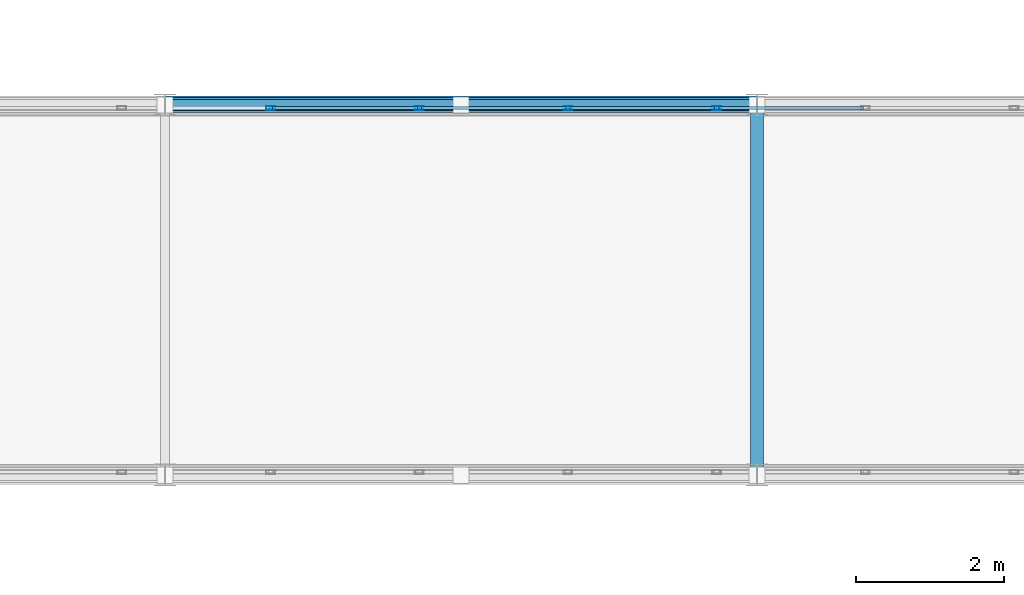
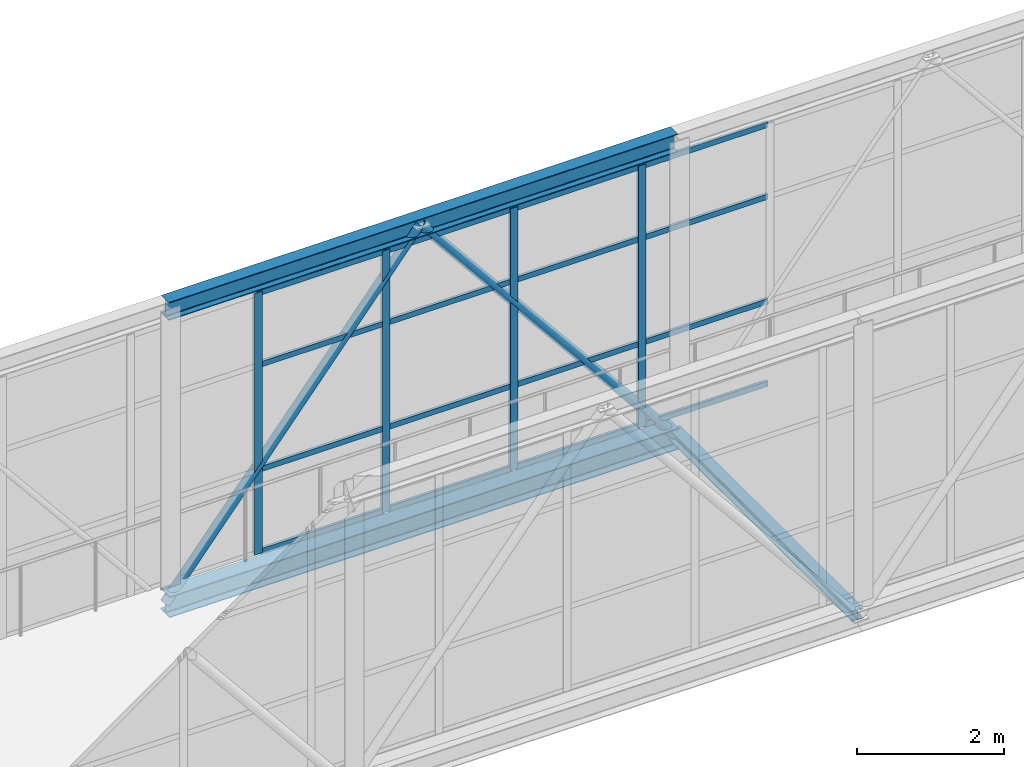
# One storey, part 93 of 248: 25 members, 1 element without a shape of its own.
"""IFC4 building model written with IfcOpenShell, lengths in metres."""

from ifc_helpers import new_model, si_unit, direction, frame, origin, origin_2d, place, context, subcontext, project, spatial, hollow_rectangle, hollow_circle, i_section, extrude, material, layer, layer_set, material_profile, profile_set, type_object, element, aggregate, save


model = new_model("IFC4")

# Units and contexts
model_context = context("Model", 3, precision=1e-05, world=origin(), true_north=direction((0.0, 1.0)))
body_context = subcontext(model_context, "Body", "Model", "MODEL_VIEW")
ifc_project = project(units=[si_unit("LENGTHUNIT", "METRE"), si_unit("AREAUNIT", "SQUARE_METRE"), si_unit("VOLUMEUNIT", "CUBIC_METRE"), si_unit("PLANEANGLEUNIT", "RADIAN"), si_unit("MASSUNIT", "GRAM", prefix="KILO")], contexts=[model_context])

# Site, building, storey
site_placement = place(None, origin())
site = spatial("IfcSite", under=ifc_project, at=site_placement, CompositionType="ELEMENT")
building_placement = place(site_placement, origin())
building = spatial("IfcBuilding", under=site, at=building_placement, Name="Canggui Botanical Conservatory", CompositionType="ELEMENT")
storey_placement = place(building_placement, frame((0.0, 0.0, 5.39990234375)))
storey = spatial("IfcBuildingStorey", under=building, at=storey_placement, Name="L02", CompositionType="ELEMENT", Elevation=5.39990234375)

# Curtain wall, members
ifc_material_1 = material(Name="Thermally Broken Aluminium", Category="aluminium")
ifc_layer = layer(ifc_material_1, 0.1201171875, Name="Thermally Broken Aluminium", Category="aluminium")
ifc_layer_set = layer_set([ifc_layer], Name="Thermally Broken Aluminium")
curtain_wall_type = type_object("IfcCurtainWallType", Name="CW-STICK-B", PredefinedType="USERDEFINED", material=ifc_layer_set)
curtain_wall_placement = place(storey_placement, origin())
curtain_wall = element("IfcCurtainWall", 1, at=curtain_wall_placement, inside=storey, type_object=curtain_wall_type, Name="Facade Curtain Wall CW-SB-01-2", ObjectType="STICK GLAZED WALL", PredefinedType="USERDEFINED")
ifc_material_profile_1 = material_profile(ifc_material_1, hollow_rectangle(XDim=0.054931640625, YDim=0.1201171875, WallThickness=0.0029296875, at=origin_2d()), Name="CWM 55x120x3")
ifc_profile_set_1 = profile_set([ifc_material_profile_1], Name="Thermally Broken Aluminium")
member_type_1 = type_object("IfcMemberType", Name="CWM-05", PredefinedType="MULLION", material=ifc_profile_set_1)
member_1_placement = place(storey_placement, frame((82.927490234375, 30.9599609375, 0.0), z_axis=(0.0, 0.0, 1.0), x_axis=(0.0, 1.0, 0.0)))
member_1 = element("IfcMember", 2, at=member_1_placement, type_object=member_type_1, Name="CW-05 mullion 9", PredefinedType="MULLION", context=body_context, shape_type="SweptSolid", body=[
    extrude(hollow_rectangle(XDim=0.054931640625, YDim=0.1201171875, WallThickness=0.0029296875, at=origin_2d()), origin(), (0.0, 0.0, 1.0), 4.35009765625),
])
member_2_placement = place(storey_placement, frame((84.93701171875, 30.9599609375, 0.0), z_axis=(0.0, 0.0, 1.0), x_axis=(0.0, 1.0, 0.0)))
member_2 = element("IfcMember", 3, at=member_2_placement, type_object=member_type_1, Name="CW-05 mullion 10", PredefinedType="MULLION", context=body_context, shape_type="SweptSolid", body=[
    extrude(hollow_rectangle(XDim=0.054931640625, YDim=0.1201171875, WallThickness=0.0029296875, at=origin_2d()), origin(), (0.0, 0.0, 1.0), 4.35009765625),
])
member_3_placement = place(storey_placement, frame((86.94677734375, 30.9599609375, 0.0), z_axis=(0.0, 0.0, 1.0), x_axis=(0.0, 1.0, 0.0)))
member_3 = element("IfcMember", 4, at=member_3_placement, type_object=member_type_1, Name="CW-05 mullion 11", PredefinedType="MULLION", context=body_context, shape_type="SweptSolid", body=[
    extrude(hollow_rectangle(XDim=0.054931640625, YDim=0.1201171875, WallThickness=0.0029296875, at=origin_2d()), origin(), (0.0, 0.0, 1.0), 4.35009765625),
])
member_4_placement = place(storey_placement, frame((88.95654296875, 30.9599609375, 0.0), z_axis=(0.0, 0.0, 1.0), x_axis=(0.0, 1.0, 0.0)))
member_4 = element("IfcMember", 5, at=member_4_placement, type_object=member_type_1, Name="CW-05 mullion 12", PredefinedType="MULLION", context=body_context, shape_type="SweptSolid", body=[
    extrude(hollow_rectangle(XDim=0.054931640625, YDim=0.1201171875, WallThickness=0.0029296875, at=origin_2d()), origin(), (0.0, 0.0, 1.0), 4.35009765625),
])
ifc_material_profile_2 = material_profile(ifc_material_1, hollow_rectangle(XDim=0.044921875, YDim=0.090087890625, WallThickness=0.0029296875, at=origin_2d()), Name="CWT 45x90x3")
ifc_profile_set_2 = profile_set([ifc_material_profile_2], Name="Thermally Broken Aluminium")
member_type_2 = type_object("IfcMemberType", Name="CWT-05", PredefinedType="USERDEFINED", material=ifc_profile_set_2)
member_5_placement = place(storey_placement, frame((82.954833984375, 30.9599609375, 0.022705078125), z_axis=(1.0, 0.0, 0.0), x_axis=(0.0, 1.0, 0.0)))
member_5 = element("IfcMember", 6, at=member_5_placement, type_object=member_type_2, Name="CW-05 transom 9.1", ObjectType="TRANSOM", PredefinedType="USERDEFINED", context=body_context, shape_type="SweptSolid", body=[
    extrude(hollow_rectangle(XDim=0.044921875, YDim=0.090087890625, WallThickness=0.0029296875, at=origin_2d()), origin(), (0.0, 0.0, 1.0), 1.954833984375),
])
member_6_placement = place(storey_placement, frame((82.954833984375, 30.9599609375, 1.39208984375), z_axis=(1.0, 0.0, 0.0), x_axis=(0.0, 1.0, 0.0)))
member_6 = element("IfcMember", 7, at=member_6_placement, type_object=member_type_2, Name="CW-05 transom 9.2", ObjectType="TRANSOM", PredefinedType="USERDEFINED", context=body_context, shape_type="SweptSolid", body=[
    extrude(hollow_rectangle(XDim=0.044921875, YDim=0.090087890625, WallThickness=0.0029296875, at=origin_2d()), origin(), (0.0, 0.0, 1.0), 1.954833984375),
])
member_7_placement = place(storey_placement, frame((82.954833984375, 30.9599609375, 3.132080078125), z_axis=(1.0, 0.0, 0.0), x_axis=(0.0, 1.0, 0.0)))
member_7 = element("IfcMember", 8, at=member_7_placement, type_object=member_type_2, Name="CW-05 transom 9.3", ObjectType="TRANSOM", PredefinedType="USERDEFINED", context=body_context, shape_type="SweptSolid", body=[
    extrude(hollow_rectangle(XDim=0.044921875, YDim=0.090087890625, WallThickness=0.0029296875, at=origin_2d()), origin(), (0.0, 0.0, 1.0), 1.954833984375),
])
member_8_placement = place(storey_placement, frame((82.954833984375, 30.9599609375, 4.32763671875), z_axis=(1.0, 0.0, 0.0), x_axis=(0.0, 1.0, 0.0)))
member_8 = element("IfcMember", 9, at=member_8_placement, type_object=member_type_2, Name="CW-05 transom 9.4", ObjectType="TRANSOM", PredefinedType="USERDEFINED", context=body_context, shape_type="SweptSolid", body=[
    extrude(hollow_rectangle(XDim=0.044921875, YDim=0.090087890625, WallThickness=0.0029296875, at=origin_2d()), origin(), (0.0, 0.0, 1.0), 1.954833984375),
])
member_9_placement = place(storey_placement, frame((84.964599609375, 30.9599609375, 0.022705078125), z_axis=(1.0, 0.0, 0.0), x_axis=(0.0, 1.0, 0.0)))
member_9 = element("IfcMember", 10, at=member_9_placement, type_object=member_type_2, Name="CW-05 transom 10.1", ObjectType="TRANSOM", PredefinedType="USERDEFINED", context=body_context, shape_type="SweptSolid", body=[
    extrude(hollow_rectangle(XDim=0.044921875, YDim=0.090087890625, WallThickness=0.0029296875, at=origin_2d()), origin(), (0.0, 0.0, 1.0), 1.95458984375),
])
member_10_placement = place(storey_placement, frame((84.964599609375, 30.9599609375, 1.39208984375), z_axis=(1.0, 0.0, 0.0), x_axis=(0.0, 1.0, 0.0)))
member_10 = element("IfcMember", 11, at=member_10_placement, type_object=member_type_2, Name="CW-05 transom 10.2", ObjectType="TRANSOM", PredefinedType="USERDEFINED", context=body_context, shape_type="SweptSolid", body=[
    extrude(hollow_rectangle(XDim=0.044921875, YDim=0.090087890625, WallThickness=0.0029296875, at=origin_2d()), origin(), (0.0, 0.0, 1.0), 1.95458984375),
])
member_11_placement = place(storey_placement, frame((84.964599609375, 30.9599609375, 3.132080078125), z_axis=(1.0, 0.0, 0.0), x_axis=(0.0, 1.0, 0.0)))
member_11 = element("IfcMember", 12, at=member_11_placement, type_object=member_type_2, Name="CW-05 transom 10.3", ObjectType="TRANSOM", PredefinedType="USERDEFINED", context=body_context, shape_type="SweptSolid", body=[
    extrude(hollow_rectangle(XDim=0.044921875, YDim=0.090087890625, WallThickness=0.0029296875, at=origin_2d()), origin(), (0.0, 0.0, 1.0), 1.95458984375),
])
member_12_placement = place(storey_placement, frame((84.964599609375, 30.9599609375, 4.32763671875), z_axis=(1.0, 0.0, 0.0), x_axis=(0.0, 1.0, 0.0)))
member_12 = element("IfcMember", 13, at=member_12_placement, type_object=member_type_2, Name="CW-05 transom 10.4", ObjectType="TRANSOM", PredefinedType="USERDEFINED", context=body_context, shape_type="SweptSolid", body=[
    extrude(hollow_rectangle(XDim=0.044921875, YDim=0.090087890625, WallThickness=0.0029296875, at=origin_2d()), origin(), (0.0, 0.0, 1.0), 1.95458984375),
])
member_13_placement = place(storey_placement, frame((86.974365234375, 30.9599609375, 0.022705078125), z_axis=(1.0, 0.0, 0.0), x_axis=(0.0, 1.0, 0.0)))
member_13 = element("IfcMember", 14, at=member_13_placement, type_object=member_type_2, Name="CW-05 transom 11.1", ObjectType="TRANSOM", PredefinedType="USERDEFINED", context=body_context, shape_type="SweptSolid", body=[
    extrude(hollow_rectangle(XDim=0.044921875, YDim=0.090087890625, WallThickness=0.0029296875, at=origin_2d()), origin(), (0.0, 0.0, 1.0), 1.95458984375),
])
member_14_placement = place(storey_placement, frame((86.974365234375, 30.9599609375, 1.39208984375), z_axis=(1.0, 0.0, 0.0), x_axis=(0.0, 1.0, 0.0)))
member_14 = element("IfcMember", 15, at=member_14_placement, type_object=member_type_2, Name="CW-05 transom 11.2", ObjectType="TRANSOM", PredefinedType="USERDEFINED", context=body_context, shape_type="SweptSolid", body=[
    extrude(hollow_rectangle(XDim=0.044921875, YDim=0.090087890625, WallThickness=0.0029296875, at=origin_2d()), origin(), (0.0, 0.0, 1.0), 1.95458984375),
])
member_15_placement = place(storey_placement, frame((86.974365234375, 30.9599609375, 3.132080078125), z_axis=(1.0, 0.0, 0.0), x_axis=(0.0, 1.0, 0.0)))
member_15 = element("IfcMember", 16, at=member_15_placement, type_object=member_type_2, Name="CW-05 transom 11.3", ObjectType="TRANSOM", PredefinedType="USERDEFINED", context=body_context, shape_type="SweptSolid", body=[
    extrude(hollow_rectangle(XDim=0.044921875, YDim=0.090087890625, WallThickness=0.0029296875, at=origin_2d()), origin(), (0.0, 0.0, 1.0), 1.95458984375),
])
member_16_placement = place(storey_placement, frame((86.974365234375, 30.9599609375, 4.32763671875), z_axis=(1.0, 0.0, 0.0), x_axis=(0.0, 1.0, 0.0)))
member_16 = element("IfcMember", 17, at=member_16_placement, type_object=member_type_2, Name="CW-05 transom 11.4", ObjectType="TRANSOM", PredefinedType="USERDEFINED", context=body_context, shape_type="SweptSolid", body=[
    extrude(hollow_rectangle(XDim=0.044921875, YDim=0.090087890625, WallThickness=0.0029296875, at=origin_2d()), origin(), (0.0, 0.0, 1.0), 1.95458984375),
])
member_17_placement = place(storey_placement, frame((88.98388671875, 30.9599609375, 0.022705078125), z_axis=(1.0, 0.0, 0.0), x_axis=(0.0, 1.0, 0.0)))
member_17 = element("IfcMember", 18, at=member_17_placement, type_object=member_type_2, Name="CW-05 transom 12.1", ObjectType="TRANSOM", PredefinedType="USERDEFINED", context=body_context, shape_type="SweptSolid", body=[
    extrude(hollow_rectangle(XDim=0.044921875, YDim=0.090087890625, WallThickness=0.0029296875, at=origin_2d()), origin(), (0.0, 0.0, 1.0), 1.954833984375),
])
member_18_placement = place(storey_placement, frame((88.98388671875, 30.9599609375, 1.39208984375), z_axis=(1.0, 0.0, 0.0), x_axis=(0.0, 1.0, 0.0)))
member_18 = element("IfcMember", 19, at=member_18_placement, type_object=member_type_2, Name="CW-05 transom 12.2", ObjectType="TRANSOM", PredefinedType="USERDEFINED", context=body_context, shape_type="SweptSolid", body=[
    extrude(hollow_rectangle(XDim=0.044921875, YDim=0.090087890625, WallThickness=0.0029296875, at=origin_2d()), origin(), (0.0, 0.0, 1.0), 1.954833984375),
])
member_19_placement = place(storey_placement, frame((88.98388671875, 30.9599609375, 3.132080078125), z_axis=(1.0, 0.0, 0.0), x_axis=(0.0, 1.0, 0.0)))
member_19 = element("IfcMember", 20, at=member_19_placement, type_object=member_type_2, Name="CW-05 transom 12.3", ObjectType="TRANSOM", PredefinedType="USERDEFINED", context=body_context, shape_type="SweptSolid", body=[
    extrude(hollow_rectangle(XDim=0.044921875, YDim=0.090087890625, WallThickness=0.0029296875, at=origin_2d()), origin(), (0.0, 0.0, 1.0), 1.954833984375),
])
member_20_placement = place(storey_placement, frame((88.98388671875, 30.9599609375, 4.32763671875), z_axis=(1.0, 0.0, 0.0), x_axis=(0.0, 1.0, 0.0)))
member_20 = element("IfcMember", 21, at=member_20_placement, type_object=member_type_2, Name="CW-05 transom 12.4", ObjectType="TRANSOM", PredefinedType="USERDEFINED", context=body_context, shape_type="SweptSolid", body=[
    extrude(hollow_rectangle(XDim=0.044921875, YDim=0.090087890625, WallThickness=0.0029296875, at=origin_2d()), origin(), (0.0, 0.0, 1.0), 1.954833984375),
])
aggregate(curtain_wall, [member_1, member_2, member_3, member_4, member_5, member_6, member_7, member_8, member_9, member_10, member_11, member_12, member_13, member_14, member_15, member_16, member_17, member_18, member_19, member_20])

# Members
ifc_material_2 = material(Name="Steel Q355C", Category="steel")
ifc_material_profile_3 = material_profile(ifc_material_2, hollow_circle(Radius=0.075927734375, WallThickness=0.006103515625, at=origin_2d()), Name="CHS 152x6")
ifc_profile_set_3 = profile_set([ifc_material_profile_3], Name="Steel Q355C")
member_type_3 = type_object("IfcMemberType", Name="MEM-GSD04", PredefinedType="RAFTER", material=ifc_profile_set_3)
for number, where, z_axis, x_axis, name in (
    (22, (81.5, 31.0, -0.349853515625), (0.632384053133, 0.0, 0.774655026024), (0.0, 1.0, 0.0), "SB-01 Truss Web Rafter 2.3A"),
    (23, (85.5, 31.0, 4.550048828125), (0.632384053133, 0.0, -0.774655026024), (0.0, 1.0, 0.0), "SB-01 Truss Web Rafter 2.3B"),
):
    element("IfcMember", number, at=place(storey_placement, frame(where, z_axis=z_axis, x_axis=x_axis)), inside=storey, type_object=member_type_3, Name=name, PredefinedType="RAFTER", context=body_context, shape_type="SweptSolid", body=[
        extrude(hollow_circle(Radius=0.075927734375, WallThickness=0.006103515625, at=origin_2d()), origin(), (0.0, 0.0, 1.0), 6.3251953125),
    ])
ifc_material_3 = material(Name="Steel Q355B", Category="steel")
ifc_material_profile_4 = material_profile(ifc_material_3, i_section(OverallWidth=0.175048828125, OverallDepth=0.175048828125, WebThickness=0.007568359375, FlangeThickness=0.010986328125, FilletRadius=0.011962890625, at=origin_2d()), Name="HW 175x175x7.5x11")
ifc_profile_set_4 = profile_set([ifc_material_profile_4], Name="Steel Q355B")
member_type_4 = type_object("IfcMemberType", Name="MEM-STR02", PredefinedType="STRINGER", material=ifc_profile_set_4)
member_21_placement = place(storey_placement, frame((89.5, 26.0, -0.31982421875), z_axis=(0.0, 1.0, 0.0), x_axis=(-1.0, 0.0, 0.0)))
element("IfcMember", 24, at=member_21_placement, inside=storey, type_object=member_type_4, Name="SB-01 Deck Transverse Stringer 3", PredefinedType="STRINGER", context=body_context, shape_type="SweptSolid", body=[
    extrude(i_section(OverallWidth=0.175048828125, OverallDepth=0.175048828125, WebThickness=0.007568359375, FlangeThickness=0.010986328125, FilletRadius=0.011962890625, at=origin_2d()), origin(), (0.0, 0.0, 1.0), 5.0),
])
ifc_material_profile_5 = material_profile(ifc_material_3, i_section(OverallWidth=0.25, OverallDepth=0.35009765625, WebThickness=0.009033203125, FlangeThickness=0.013916015625, FilletRadius=0.02001953125, at=origin_2d()), Name="HM 350x250x9x14")
ifc_profile_set_5 = profile_set([ifc_material_profile_5], Name="Steel Q355B")
member_type_5 = type_object("IfcMemberType", Name="MEM-TC03", PredefinedType="CHORD", material=ifc_profile_set_5)
member_22_placement = place(storey_placement, frame((81.5, 31.0, -0.349853515625), z_axis=(1.0, 0.0, 0.0), x_axis=(0.0, 1.0, 0.0)))
element("IfcMember", 25, at=member_22_placement, inside=storey, type_object=member_type_5, Name="SB-01 Deck Truss Bottom Chord 2.3", PredefinedType="CHORD", context=body_context, shape_type="SweptSolid", body=[
    extrude(i_section(OverallWidth=0.25, OverallDepth=0.35009765625, WebThickness=0.009033203125, FlangeThickness=0.013916015625, FilletRadius=0.02001953125, at=origin_2d()), origin(), (0.0, 0.0, 1.0), 8.0),
])
ifc_material_profile_6 = material_profile(ifc_material_3, i_section(OverallWidth=0.199951171875, OverallDepth=0.300048828125, WebThickness=0.008056640625, FlangeThickness=0.011962890625, FilletRadius=0.01806640625, at=origin_2d()), Name="HM 300x200x8x12")
ifc_profile_set_6 = profile_set([ifc_material_profile_6], Name="Steel Q355B")
member_type_6 = type_object("IfcMemberType", Name="MEM-TC04", PredefinedType="CHORD", material=ifc_profile_set_6)
member_23_placement = place(storey_placement, frame((81.5, 31.0, 4.550048828125), z_axis=(1.0, 0.0, 0.0), x_axis=(0.0, 1.0, 0.0)))
element("IfcMember", 26, at=member_23_placement, inside=storey, type_object=member_type_6, Name="SB-01 Roof Truss Top Chord 2.3", PredefinedType="CHORD", context=body_context, shape_type="SweptSolid", body=[
    extrude(i_section(OverallWidth=0.199951171875, OverallDepth=0.300048828125, WebThickness=0.008056640625, FlangeThickness=0.011962890625, FilletRadius=0.01806640625, at=origin_2d()), origin(), (0.0, 0.0, 1.0), 8.0),
])

save(model, "model.ifc")
